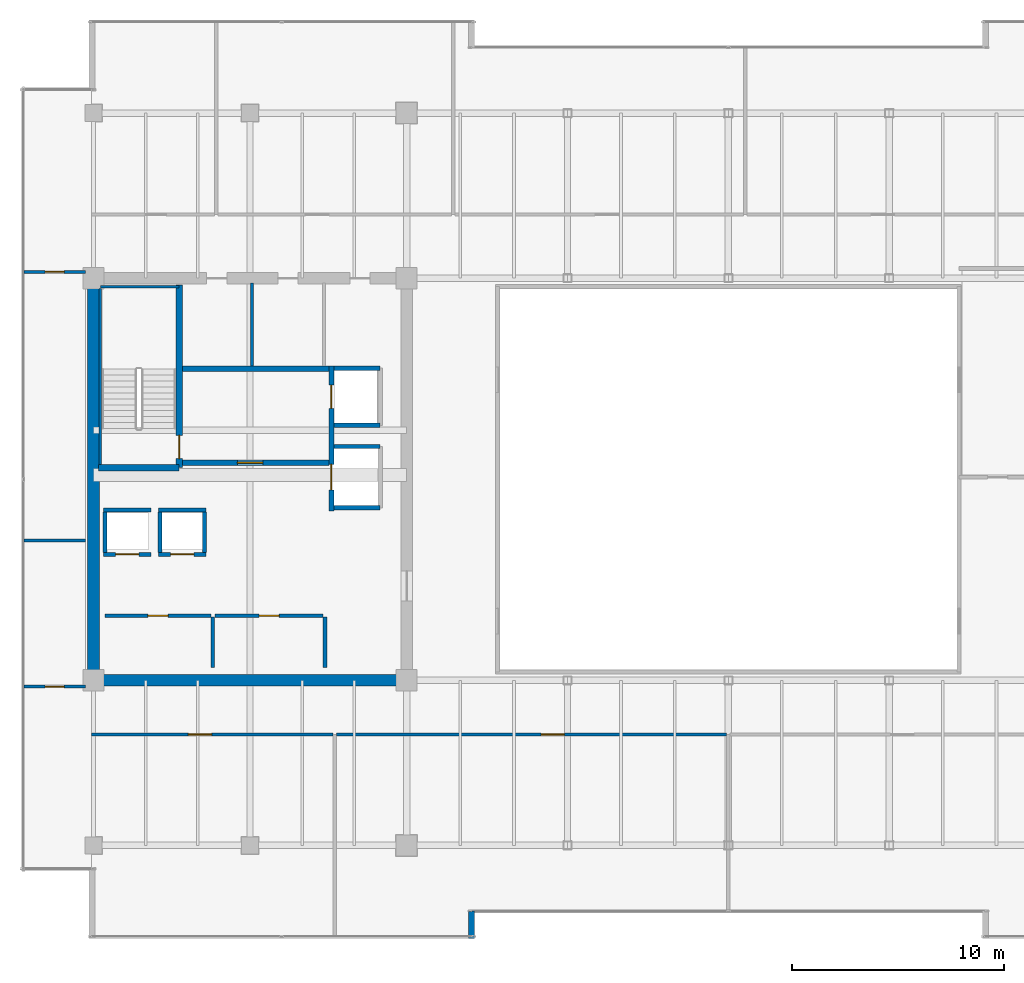
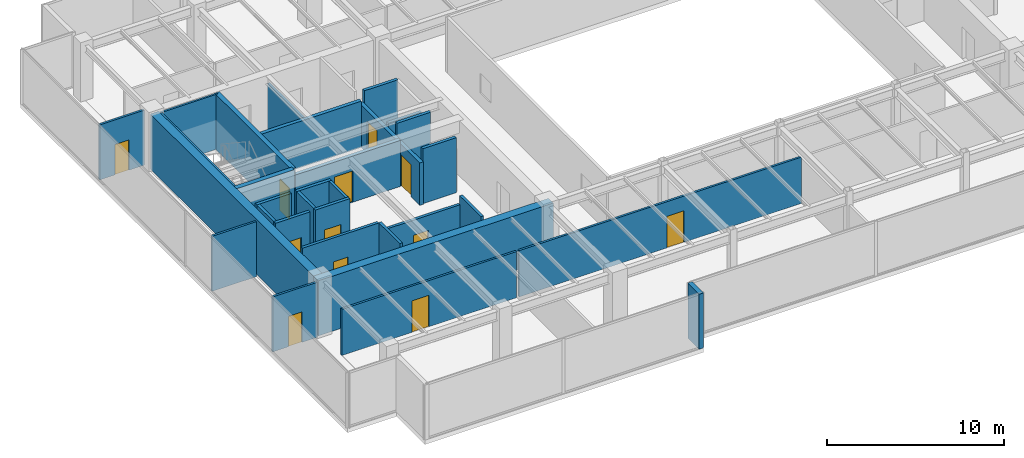
# One storey, part 28 of 36: 31 walls, 12 doors, 12 openings.
"""IFC4 building model written with IfcOpenShell, lengths in metres."""

from ifc_helpers import new_model, si_unit, direction, frame, frame_2d, origin, place, context, subcontext, project, spatial, rectangle, extrude, source, transform, mapped, material, layer, layer_set, type_object, type_shapes, element, fill, save


model = new_model("IFC4")

# Units and contexts
model_context = context("Model", 3, precision=1e-05, world=origin(), true_north=direction((0.0, 1.0)))
body_context = subcontext(model_context, "Body", "Model", "MODEL_VIEW")
ifc_project = project(units=[si_unit("LENGTHUNIT", "METRE"), si_unit("AREAUNIT", "SQUARE_METRE"), si_unit("VOLUMEUNIT", "CUBIC_METRE"), si_unit("PLANEANGLEUNIT", "RADIAN"), si_unit("MASSUNIT", "GRAM", prefix="KILO")], contexts=[model_context])

# Site, building, storey
site_placement = place(None, origin())
site = spatial("IfcSite", under=ifc_project, at=site_placement, CompositionType="ELEMENT")
building_placement = place(site_placement, origin())
building = spatial("IfcBuilding", under=site, at=building_placement, Name="Haelvirn Gate Laboratories", CompositionType="ELEMENT")
storey_placement = place(building_placement, frame((0.0, 0.0, 254.699951171875)))
storey = spatial("IfcBuildingStorey", under=building, at=storey_placement, Name="L61", CompositionType="ELEMENT", Elevation=254.699951171875)

# Wall
ifc_material_1 = material(Name="Thermally-broken bronze aluminium rainscreen & mineral wool", Category="aluminium")
ifc_layer_1 = layer(ifc_material_1, 0.280029296875, Name="EW-TERR-280")
ifc_layer_set_1 = layer_set([ifc_layer_1], Name="Thermally-broken bronze aluminium rainscreen & mineral wool")
wall_type_1 = type_object("IfcWallType", Name="EW-TERR-280", PredefinedType="STANDARD", material=ifc_layer_set_1)
wall_1_placement = place(storey_placement, frame((25.260009765625, 2.60009765625, 0.0), z_axis=(0.0, 0.0, 1.0), x_axis=(0.0, 1.0, 0.0)))
element("IfcWall", 1, at=wall_1_placement, inside=storey, type_object=wall_type_1, Name="L61 Atrium Recess Bronze Return Wall 01", PredefinedType="STANDARD", context=body_context, shape_type="SweptSolid", body=[
    extrude(rectangle(XDim=1.29296875, YDim=0.280029296875, at=frame_2d((0.646484375, 0.0))), origin(), (0.0, 0.0, 1.0), 3.800048828125),
])

# Wall, opening, door
ifc_material_2 = material(Name="Acoustic mineral-wool gypsum board partition", Category="gypsum")
ifc_layer_2 = layer(ifc_material_2, 0.139892578125, Name="IW-PART-140")
ifc_layer_set_2 = layer_set([ifc_layer_2], Name="Acoustic mineral-wool gypsum board partition")
wall_type_2 = type_object("IfcWallType", Name="IW-PART-140", PredefinedType="PARTITIONING", material=ifc_layer_set_2)
wall_2_placement = place(storey_placement, frame((7.31005859375, 12.239990234375, 0.0), z_axis=(0.0, 0.0, 1.0), x_axis=(1.0, 0.0, 0.0)))
wall_2 = element("IfcWall", 2, at=wall_2_placement, inside=storey, type_object=wall_type_2, Name="L61 Interior Wall IW-L61-SCORR-01", PredefinedType="PARTITIONING", context=body_context, shape_type="SweptSolid", body=[
    extrude(rectangle(XDim=11.409912109375, YDim=0.139892578125, at=frame_2d((5.705078125, 0.0))), origin(), (0.0, 0.0, 1.0), 3.197021484375),
])
opening_1_placement = place(wall_2_placement, frame((4.578369140625, 0.0, 0.0)))
opening_1 = element("IfcOpeningElement", 3, at=opening_1_placement, cuts=wall_2, Name="Opening D1", PredefinedType="OPENING", context=body_context, shape_type="SweptSolid", body=[
    extrude(rectangle(XDim=1.10009765625, YDim=2.179931640625, at=frame_2d((0.550048828125, 1.08984375))), frame((0.0, 0.080078125, 0.0), z_axis=(0.0, -1.0, 0.0), x_axis=(1.0, 0.0, 0.0)), (0.0, 0.0, 1.0), 0.159912109375),
])
ifc_material_3 = material(Name="Vision-panel acoustic solid-core timber lab door", Category="wood")
door_type_1 = type_object("IfcDoorType", Name="DR-LAB-1100", OperationType="NOTDEFINED", PredefinedType="DOOR", material=ifc_material_3)
shared_shape_1 = source(origin(), body_context, "Body", "SweptSolid", [
    extrude(rectangle(XDim=1.10009765625, YDim=2.179931640625, at=frame_2d((0.550048828125, 1.08984375))), frame((0.0, 0.02490234375, 0.0), z_axis=(0.0, -1.0, 0.0), x_axis=(1.0, 0.0, 0.0)), (0.0, 0.0, 1.0), 0.050048828125),
])
type_shapes(door_type_1, [shared_shape_1])
door_1_placement = place(opening_1_placement, origin())
door_1 = element("IfcDoor", 4, at=door_1_placement, inside=storey, type_object=door_type_1, Name="L61 Instrumentation Prototyping Workshop Door S1", OperationType="SINGLE_SWING_RIGHT", OverallHeight=2.179931640625, OverallWidth=1.10009765625, PredefinedType="DOOR", context=body_context, shape_type="MappedRepresentation", body=[
    mapped(shared_shape_1, transform((0.0, 0.0, 0.0), scale=1.0)),
])
fill(opening_1, door_1)

wall_3_placement = place(storey_placement, frame((18.8798828125, 12.239990234375, 0.0), z_axis=(0.0, 0.0, 1.0), x_axis=(1.0, 0.0, 0.0)))
wall_3 = element("IfcWall", 5, at=wall_3_placement, inside=storey, type_object=wall_type_2, Name="L61 Interior Wall IW-L61-SCORR-02", PredefinedType="PARTITIONING", context=body_context, shape_type="SweptSolid", body=[
    extrude(rectangle(XDim=18.440185546875, YDim=0.139892578125, at=frame_2d((9.22021484375, 0.0))), origin(), (0.0, 0.0, 1.0), 3.197021484375),
])
opening_2_placement = place(wall_3_placement, frame((9.66845703125, 0.0, 0.0)))
opening_2 = element("IfcOpeningElement", 6, at=opening_2_placement, cuts=wall_3, Name="Opening D1", PredefinedType="OPENING", context=body_context, shape_type="SweptSolid", body=[
    extrude(rectangle(XDim=1.10009765625, YDim=2.179931640625, at=frame_2d((0.550048828125, 1.08984375))), frame((0.0, 0.080078125, 0.0), z_axis=(0.0, -1.0, 0.0), x_axis=(1.0, 0.0, 0.0)), (0.0, 0.0, 1.0), 0.159912109375),
])
door_2_placement = place(opening_2_placement, origin())
door_2 = element("IfcDoor", 7, at=door_2_placement, inside=storey, type_object=door_type_1, Name="L61 Scientific Reference Library Door S2", OperationType="SINGLE_SWING_LEFT", OverallHeight=2.179931640625, OverallWidth=1.10009765625, PredefinedType="DOOR", context=body_context, shape_type="MappedRepresentation", body=[
    mapped(shared_shape_1, transform((0.0, 0.0, 0.0), scale=1.0)),
])
fill(opening_2, door_2)

# Wall
wall_4_placement = place(storey_placement, frame((4.110107421875, 21.39990234375, 0.0), z_axis=(0.0, 0.0, 1.0), x_axis=(1.0, 0.0, 0.0)))
element("IfcWall", 8, at=wall_4_placement, inside=storey, type_object=wall_type_2, Name="L61 Interior Wall IW-L61-WZ3-MID", PredefinedType="PARTITIONING", context=body_context, shape_type="SweptSolid", body=[
    extrude(rectangle(XDim=2.909912109375, YDim=0.139892578125, at=frame_2d((1.455078125, 0.0))), origin(), (0.0, 0.0, 1.0), 3.800048828125),
])

# Wall, opening, door
wall_5_placement = place(storey_placement, frame((4.110107421875, 14.5048828125, 0.0), z_axis=(0.0, 0.0, 1.0), x_axis=(1.0, 0.0, 0.0)))
wall_5 = element("IfcWall", 9, at=wall_5_placement, inside=storey, type_object=wall_type_2, Name="L61 Interior Wall IW-L61-WZ3-ENT-S", PredefinedType="PARTITIONING", context=body_context, shape_type="SweptSolid", body=[
    extrude(rectangle(XDim=2.909912109375, YDim=0.139892578125, at=frame_2d((1.455078125, 0.0))), origin(), (0.0, 0.0, 1.0), 3.800048828125),
])
opening_3_placement = place(wall_5_placement, frame((1.0048828125, 0.0, 0.0)))
opening_3 = element("IfcOpeningElement", 10, at=opening_3_placement, cuts=wall_5, Name="Opening D4", PredefinedType="OPENING", context=body_context, shape_type="SweptSolid", body=[
    extrude(rectangle(XDim=0.89990234375, YDim=2.10009765625, at=frame_2d((0.449951171875, 1.050048828125))), frame((0.0, 0.080078125, 0.0), z_axis=(0.0, -1.0, 0.0), x_axis=(1.0, 0.0, 0.0)), (0.0, 0.0, 1.0), 0.159912109375),
])
ifc_material_4 = material(Name="Glazed aluminium-framed write-up door", Category="aluminium")
door_type_2 = type_object("IfcDoorType", Name="DR-OFF-900", OperationType="NOTDEFINED", PredefinedType="DOOR", material=ifc_material_4)
shared_shape_2 = source(origin(), body_context, "Body", "SweptSolid", [
    extrude(rectangle(XDim=0.89990234375, YDim=2.10009765625, at=frame_2d((0.449951171875, 1.050048828125))), frame((0.0, 0.02490234375, 0.0), z_axis=(0.0, -1.0, 0.0), x_axis=(1.0, 0.0, 0.0)), (0.0, 0.0, 1.0), 0.050048828125),
])
type_shapes(door_type_2, [shared_shape_2])
door_3_placement = place(opening_3_placement, origin())
door_3 = element("IfcDoor", 11, at=door_3_placement, inside=storey, type_object=door_type_2, Name="L61 Floor Hydration & Tea Servery Door W-S", OperationType="SINGLE_SWING_LEFT", OverallHeight=2.10009765625, OverallWidth=0.89990234375, PredefinedType="DOOR", context=body_context, shape_type="MappedRepresentation", body=[
    mapped(shared_shape_2, transform((0.0, 0.0, 0.0), scale=1.0)),
])
fill(opening_3, door_3)

wall_6_placement = place(storey_placement, frame((4.110107421875, 34.094970703125, 0.0), z_axis=(0.0, 0.0, 1.0), x_axis=(1.0, 0.0, 0.0)))
wall_6 = element("IfcWall", 12, at=wall_6_placement, inside=storey, type_object=wall_type_2, Name="L61 Interior Wall IW-L61-WZ3-ENT-N", PredefinedType="PARTITIONING", context=body_context, shape_type="SweptSolid", body=[
    extrude(rectangle(XDim=2.909912109375, YDim=0.139892578125, at=frame_2d((1.455078125, 0.0))), origin(), (0.0, 0.0, 1.0), 3.800048828125),
])
opening_4_placement = place(wall_6_placement, frame((1.0048828125, 0.0, 0.0)))
opening_4 = element("IfcOpeningElement", 13, at=opening_4_placement, cuts=wall_6, Name="Opening D4", PredefinedType="OPENING", context=body_context, shape_type="SweptSolid", body=[
    extrude(rectangle(XDim=0.89990234375, YDim=2.10009765625, at=frame_2d((0.449951171875, 1.050048828125))), frame((0.0, 0.080078125, 0.0), z_axis=(0.0, -1.0, 0.0), x_axis=(1.0, 0.0, 0.0)), (0.0, 0.0, 1.0), 0.159912109375),
])
door_4_placement = place(opening_4_placement, origin())
door_4 = element("IfcDoor", 14, at=door_4_placement, inside=storey, type_object=door_type_2, Name="L61 Bioprocess Foundry Laboratory Door W-N", OperationType="SINGLE_SWING_RIGHT", OverallHeight=2.10009765625, OverallWidth=0.89990234375, PredefinedType="DOOR", context=body_context, shape_type="MappedRepresentation", body=[
    mapped(shared_shape_2, transform((0.0, 0.0, 0.0), scale=1.0)),
])
fill(opening_4, door_4)

# Walls
ifc_material_5 = material(Name="Cement-board restroom plumbing chase wall", Category="gypsum")
ifc_layer_3 = layer(ifc_material_5, 0.155029296875, Name="IW-PLUMB-160")
ifc_layer_set_3 = layer_set([ifc_layer_3], Name="Cement-board restroom plumbing chase wall")
wall_type_3 = type_object("IfcWallType", Name="IW-PLUMB-160", PredefinedType="PLUMBINGWALL", material=ifc_layer_set_3)
wall_7_placement = place(storey_placement, frame((14.889892578125, 29.64990234375, 0.0), z_axis=(0.0, 0.0, 1.0), x_axis=(0.0, 1.0, 0.0)))
element("IfcWall", 15, at=wall_7_placement, inside=storey, type_object=wall_type_3, Name="L61 Interior Wall IW-L61-W-CDIV-1", PredefinedType="PLUMBINGWALL", context=body_context, shape_type="SweptSolid", body=[
    extrude(rectangle(XDim=3.93017578125, YDim=0.155029296875, at=frame_2d((1.965087890625, 0.0))), origin(), (0.0, 0.0, 1.0), 3.197021484375),
])
ifc_material_6 = material(Name="Concrete C40/50", Category="concrete")
ifc_layer_4 = layer(ifc_material_6, 0.179931640625, Name="IW-SHAFT-180")
ifc_layer_set_4 = layer_set([ifc_layer_4], Name="Concrete C40/50")
wall_type_4 = type_object("IfcWallType", Name="IW-SHAFT-180", PredefinedType="SOLIDWALL", material=ifc_layer_set_4)
for number, where, z_axis, x_axis, name in (
    (16, (7.949951171875, 20.85009765625, 0.0), (0.0, 0.0, 1.0), (0.0, 1.0, 0.0), "L61 Interior Wall IW-L61-PL9-SD"),
    (17, (10.550048828125, 20.85009765625, 0.0), (0.0, 0.0, 1.0), (0.0, 1.0, 0.0), "L61 Interior Wall IW-L61-PL10-SD"),
    (18, (12.64990234375, 20.85009765625, 0.0), (0.0, 0.0, 1.0), (0.0, 1.0, 0.0), "L61 Interior Wall IW-L61-PL10-SDE"),
):
    element("IfcWall", number, at=place(storey_placement, frame(where, z_axis=z_axis, x_axis=x_axis)), inside=storey, type_object=wall_type_4, Name=name, PredefinedType="SOLIDWALL", context=body_context, shape_type="SweptSolid", body=[
        extrude(rectangle(XDim=1.89990234375, YDim=0.179931640625, at=frame_2d((0.949951171875, 0.0))), origin(), (0.0, 0.0, 1.0), 3.800048828125),
    ])

# Wall, opening, door
wall_8_placement = place(storey_placement, frame((7.949951171875, 17.85009765625, 0.0), z_axis=(0.0, 0.0, 1.0), x_axis=(1.0, 0.0, 0.0)))
wall_8 = element("IfcWall", 19, at=wall_8_placement, inside=storey, type_object=wall_type_4, Name="L61 Interior Wall IW-L61-W-FREED-HN-1", PredefinedType="SOLIDWALL", context=body_context, shape_type="SweptSolid", body=[
    extrude(rectangle(XDim=5.0, YDim=0.179931640625, at=frame_2d((2.5, 0.0))), origin(), (0.0, 0.0, 1.0), 3.800048828125),
])
opening_5_placement = place(wall_8_placement, frame((2.02490234375, 0.0, 0.0)))
opening_5 = element("IfcOpeningElement", 20, at=opening_5_placement, cuts=wall_8, Name="Opening FD4", PredefinedType="OPENING", context=body_context, shape_type="SweptSolid", body=[
    extrude(rectangle(XDim=0.949951171875, YDim=2.14990234375, at=frame_2d((0.47509765625, 1.074951171875))), frame((0.0, 0.10009765625, 0.0), z_axis=(0.0, -1.0, 0.0), x_axis=(1.0, 0.0, 0.0)), (0.0, 0.0, 1.0), 0.199951171875),
])
ifc_material_7 = material(Name="Fire-rated steel SM355 core service door", Category="steel")
door_type_3 = type_object("IfcDoorType", Name="DR-FD-950", OperationType="NOTDEFINED", PredefinedType="DOOR", material=ifc_material_7)
shared_shape_3 = source(origin(), body_context, "Body", "SweptSolid", [
    extrude(rectangle(XDim=0.949951171875, YDim=2.14990234375, at=frame_2d((0.47509765625, 1.074951171875))), frame((0.0, 0.02490234375, 0.0), z_axis=(0.0, -1.0, 0.0), x_axis=(1.0, 0.0, 0.0)), (0.0, 0.0, 1.0), 0.050048828125),
])
type_shapes(door_type_3, [shared_shape_3])
door_5_placement = place(opening_5_placement, origin())
door_5 = element("IfcDoor", 21, at=door_5_placement, inside=storey, type_object=door_type_3, Name="L61 Cryogenic Specimen Biobank Door", OperationType="SINGLE_SWING_LEFT", OverallHeight=2.14990234375, OverallWidth=0.949951171875, PredefinedType="DOOR", context=body_context, shape_type="MappedRepresentation", body=[
    mapped(shared_shape_3, transform((0.0, 0.0, 0.0), scale=1.0)),
])
fill(opening_5, door_5)

# Wall
wall_9_placement = place(storey_placement, frame((13.0400390625, 15.39990234375, 0.0), z_axis=(0.0, 0.0, 1.0), x_axis=(0.0, 1.0, 0.0)))
element("IfcWall", 22, at=wall_9_placement, inside=storey, type_object=wall_type_4, Name="L61 Interior Wall IW-L61-W-FREED-HE-1", PredefinedType="SOLIDWALL", context=body_context, shape_type="SweptSolid", body=[
    extrude(rectangle(XDim=2.400146484375, YDim=0.179931640625, at=frame_2d((1.2001953125, 0.0))), origin(), (0.0, 0.0, 1.0), 3.800048828125),
])

# Wall, opening, door
wall_10_placement = place(storey_placement, frame((13.14990234375, 17.85009765625, 0.0), z_axis=(0.0, 0.0, 1.0), x_axis=(1.0, 0.0, 0.0)))
wall_10 = element("IfcWall", 23, at=wall_10_placement, inside=storey, type_object=wall_type_4, Name="L61 Interior Wall IW-L61-W-FREED-HN-2", PredefinedType="SOLIDWALL", context=body_context, shape_type="SweptSolid", body=[
    extrude(rectangle(XDim=5.10009765625, YDim=0.179931640625, at=frame_2d((2.550048828125, 0.0))), origin(), (0.0, 0.0, 1.0), 3.197021484375),
])
opening_6_placement = place(wall_10_placement, frame((2.074951171875, 0.0, 0.0)))
opening_6 = element("IfcOpeningElement", 24, at=opening_6_placement, cuts=wall_10, Name="Opening FD4", PredefinedType="OPENING", context=body_context, shape_type="SweptSolid", body=[
    extrude(rectangle(XDim=0.949951171875, YDim=2.14990234375, at=frame_2d((0.47509765625, 1.074951171875))), frame((0.0, 0.10009765625, 0.0), z_axis=(0.0, -1.0, 0.0), x_axis=(1.0, 0.0, 0.0)), (0.0, 0.0, 1.0), 0.199951171875),
])
door_6_placement = place(opening_6_placement, origin())
door_6 = element("IfcDoor", 25, at=door_6_placement, inside=storey, type_object=door_type_3, Name="L61 Cryo-Assay Preparation Laboratory Door", OperationType="SINGLE_SWING_RIGHT", OverallHeight=2.14990234375, OverallWidth=0.949951171875, PredefinedType="DOOR", context=body_context, shape_type="MappedRepresentation", body=[
    mapped(shared_shape_3, transform((0.0, 0.0, 0.0), scale=1.0)),
])
fill(opening_6, door_6)

# Wall
wall_11_placement = place(storey_placement, frame((18.340087890625, 15.39990234375, 0.0), z_axis=(0.0, 0.0, 1.0), x_axis=(0.0, 1.0, 0.0)))
element("IfcWall", 26, at=wall_11_placement, inside=storey, type_object=wall_type_4, Name="L61 Interior Wall IW-L61-W-FREED-HE-2", PredefinedType="SOLIDWALL", context=body_context, shape_type="SweptSolid", body=[
    extrude(rectangle(XDim=2.400146484375, YDim=0.179931640625, at=frame_2d((1.2001953125, 0.0))), origin(), (0.0, 0.0, 1.0), 3.800048828125),
])

# Wall, opening, door
ifc_layer_5 = layer(ifc_material_6, 0.199951171875, Name="IW-SHAFT-200")
ifc_layer_set_5 = layer_set([ifc_layer_5], Name="Concrete C40/50")
wall_type_5 = type_object("IfcWallType", Name="IW-SHAFT-200", PredefinedType="SOLIDWALL", material=ifc_layer_set_5)
wall_12_placement = place(storey_placement, frame((7.8701171875, 20.75, 0.0), z_axis=(0.0, 0.0, 1.0), x_axis=(1.0, 0.0, 0.0)))
wall_12 = element("IfcWall", 27, at=wall_12_placement, inside=storey, type_object=wall_type_5, Name="L61 Interior Wall IW-L61-PL9-FR", PredefinedType="SOLIDWALL", context=body_context, shape_type="SweptSolid", body=[
    extrude(rectangle(XDim=2.259765625, YDim=0.199951171875, at=frame_2d((1.1298828125, 0.0))), origin(), (0.0, 0.0, 1.0), 3.800048828125),
])
opening_7_placement = place(wall_12_placement, frame((0.580078125, 0.0, 0.0)))
opening_7 = element("IfcOpeningElement", 28, at=opening_7_placement, cuts=wall_12, Name="Opening LD2", PredefinedType="OPENING", context=body_context, shape_type="SweptSolid", body=[
    extrude(rectangle(XDim=1.10009765625, YDim=2.219970703125, at=frame_2d((0.550048828125, 1.10986328125))), frame((0.0, 0.10986328125, 0.0), z_axis=(0.0, -1.0, 0.0), x_axis=(1.0, 0.0, 0.0)), (0.0, 0.0, 1.0), 0.219970703125),
])
ifc_material_8 = material(Name="Bronze stainless 316L sliding lift landing door")
door_type_4 = type_object("IfcDoorType", Name="DR-LD-1100", OperationType="NOTDEFINED", PredefinedType="USERDEFINED", material=ifc_material_8)
shared_shape_4 = source(origin(), body_context, "Body", "SweptSolid", [
    extrude(rectangle(XDim=1.10009765625, YDim=2.219970703125, at=frame_2d((0.550048828125, 1.10986328125))), frame((0.0, 0.02490234375, 0.0), z_axis=(0.0, -1.0, 0.0), x_axis=(1.0, 0.0, 0.0)), (0.0, 0.0, 1.0), 0.050048828125),
])
type_shapes(door_type_4, [shared_shape_4])
door_7_placement = place(opening_7_placement, origin())
door_7 = element("IfcDoor", 29, at=door_7_placement, inside=storey, type_object=door_type_4, Name="L61 Passenger Lift PL9 Landing Door", ObjectType="LANDING_DOOR", OperationType="SLIDING_TO_LEFT", OverallHeight=2.219970703125, OverallWidth=1.10009765625, PredefinedType="USERDEFINED", context=body_context, shape_type="MappedRepresentation", body=[
    mapped(shared_shape_4, transform((0.0, 0.0, 0.0), scale=1.0)),
])
fill(opening_7, door_7)

# Wall
wall_13_placement = place(storey_placement, frame((7.8701171875, 22.85009765625, 0.0), z_axis=(0.0, 0.0, 1.0), x_axis=(1.0, 0.0, 0.0)))
element("IfcWall", 30, at=wall_13_placement, inside=storey, type_object=wall_type_5, Name="L61 Interior Wall IW-L61-PL9-BK", PredefinedType="SOLIDWALL", context=body_context, shape_type="SweptSolid", body=[
    extrude(rectangle(XDim=2.259765625, YDim=0.199951171875, at=frame_2d((1.1298828125, 0.0))), origin(), (0.0, 0.0, 1.0), 3.800048828125),
])

# Wall, opening, door
wall_14_placement = place(storey_placement, frame((10.469970703125, 20.75, 0.0), z_axis=(0.0, 0.0, 1.0), x_axis=(1.0, 0.0, 0.0)))
wall_14 = element("IfcWall", 31, at=wall_14_placement, inside=storey, type_object=wall_type_5, Name="L61 Interior Wall IW-L61-PL10-FR", PredefinedType="SOLIDWALL", context=body_context, shape_type="SweptSolid", body=[
    extrude(rectangle(XDim=2.260009765625, YDim=0.199951171875, at=frame_2d((1.1298828125, 0.0))), origin(), (0.0, 0.0, 1.0), 3.800048828125),
])
opening_8_placement = place(wall_14_placement, frame((0.580078125, 0.0, 0.0)))
opening_8 = element("IfcOpeningElement", 32, at=opening_8_placement, cuts=wall_14, Name="Opening LD2", PredefinedType="OPENING", context=body_context, shape_type="SweptSolid", body=[
    extrude(rectangle(XDim=1.10009765625, YDim=2.219970703125, at=frame_2d((0.550048828125, 1.10986328125))), frame((0.0, 0.10986328125, 0.0), z_axis=(0.0, -1.0, 0.0), x_axis=(1.0, 0.0, 0.0)), (0.0, 0.0, 1.0), 0.219970703125),
])
door_8_placement = place(opening_8_placement, origin())
door_8 = element("IfcDoor", 33, at=door_8_placement, inside=storey, type_object=door_type_4, Name="L61 Passenger Lift PL10 Landing Door", ObjectType="LANDING_DOOR", OperationType="SLIDING_TO_RIGHT", OverallHeight=2.219970703125, OverallWidth=1.10009765625, PredefinedType="USERDEFINED", context=body_context, shape_type="MappedRepresentation", body=[
    mapped(shared_shape_4, transform((0.0, 0.0, 0.0), scale=1.0)),
])
fill(opening_8, door_8)

# Walls
wall_15_placement = place(storey_placement, frame((10.469970703125, 22.85009765625, 0.0), z_axis=(0.0, 0.0, 1.0), x_axis=(1.0, 0.0, 0.0)))
element("IfcWall", 34, at=wall_15_placement, inside=storey, type_object=wall_type_5, Name="L61 Interior Wall IW-L61-PL10-BK", PredefinedType="SOLIDWALL", context=body_context, shape_type="SweptSolid", body=[
    extrude(rectangle(XDim=2.260009765625, YDim=0.199951171875, at=frame_2d((1.1298828125, 0.0))), origin(), (0.0, 0.0, 1.0), 3.800048828125),
])
wall_16_placement = place(storey_placement, frame((18.760009765625, 29.550048828125, 0.0), z_axis=(0.0, 0.0, 1.0), x_axis=(1.0, 0.0, 0.0)))
element("IfcWall", 35, at=wall_16_placement, inside=storey, type_object=wall_type_5, Name="L61 Interior Wall IW-L61-FL1-N", PredefinedType="SOLIDWALL", context=body_context, shape_type="SweptSolid", body=[
    extrude(rectangle(XDim=2.18994140625, YDim=0.199951171875, at=frame_2d((1.094970703125, 0.0))), origin(), (0.0, 0.0, 1.0), 3.800048828125),
])
wall_17_placement = place(storey_placement, frame((18.760009765625, 26.85009765625, 0.0), z_axis=(0.0, 0.0, 1.0), x_axis=(1.0, 0.0, 0.0)))
element("IfcWall", 36, at=wall_17_placement, inside=storey, type_object=wall_type_5, Name="L61 Interior Wall IW-L61-FL1-S", PredefinedType="SOLIDWALL", context=body_context, shape_type="SweptSolid", body=[
    extrude(rectangle(XDim=2.18994140625, YDim=0.199951171875, at=frame_2d((1.094970703125, 0.0))), origin(), (0.0, 0.0, 1.0), 3.197021484375),
])
for number, where, z_axis, x_axis, name in (
    (37, (18.760009765625, 25.85009765625, 0.0), (0.0, 0.0, 1.0), (1.0, 0.0, 0.0), "L61 Interior Wall IW-L61-SL1-N"),
    (38, (18.760009765625, 22.949951171875, 0.0), (0.0, 0.0, 1.0), (1.0, 0.0, 0.0), "L61 Interior Wall IW-L61-SL1-S"),
):
    element("IfcWall", number, at=place(storey_placement, frame(where, z_axis=z_axis, x_axis=x_axis)), inside=storey, type_object=wall_type_5, Name=name, PredefinedType="SOLIDWALL", context=body_context, shape_type="SweptSolid", body=[
        extrude(rectangle(XDim=2.18994140625, YDim=0.199951171875, at=frame_2d((1.094970703125, 0.0))), origin(), (0.0, 0.0, 1.0), 3.800048828125),
    ])

# Wall, opening, door
ifc_layer_6 = layer(ifc_material_6, 0.239990234375, Name="IW-SHAFT-240")
ifc_layer_set_6 = layer_set([ifc_layer_6], Name="Concrete C40/50")
wall_type_6 = type_object("IfcWallType", Name="IW-SHAFT-240", PredefinedType="SOLIDWALL", material=ifc_layer_set_6)
wall_18_placement = place(storey_placement, frame((11.60009765625, 25.080078125, 0.0), z_axis=(0.0, 0.0, 1.0), x_axis=(1.0, 0.0, 0.0)))
wall_18 = element("IfcWall", 39, at=wall_18_placement, inside=storey, type_object=wall_type_6, Name="L61 Interior Wall IW-L61-W-FF-S", PredefinedType="SOLIDWALL", context=body_context, shape_type="SweptSolid", body=[
    extrude(rectangle(XDim=6.919921875, YDim=0.239990234375, at=frame_2d((3.4599609375, 0.0))), origin(), (0.0, 0.0, 1.0), 3.197021484375),
])
opening_9_placement = place(wall_18_placement, frame((2.60009765625, 0.0, 0.0)))
opening_9 = element("IfcOpeningElement", 40, at=opening_9_placement, cuts=wall_18, Name="Opening FD2", PredefinedType="OPENING", context=body_context, shape_type="SweptSolid", body=[
    extrude(rectangle(XDim=1.199951171875, YDim=2.159912109375, at=frame_2d((0.60009765625, 1.080078125))), frame((0.0, 0.1298828125, 0.0), z_axis=(0.0, -1.0, 0.0), x_axis=(1.0, 0.0, 0.0)), (0.0, 0.0, 1.0), 0.260009765625),
])
ifc_material_9 = material(Name="Fire-rated steel SM355 compartment door", Category="steel")
door_type_5 = type_object("IfcDoorType", Name="DR-FD-1200", OperationType="NOTDEFINED", PredefinedType="DOOR", material=ifc_material_9)
shared_shape_5 = source(origin(), body_context, "Body", "SweptSolid", [
    extrude(rectangle(XDim=1.199951171875, YDim=2.159912109375, at=frame_2d((0.60009765625, 1.080078125))), frame((0.0, 0.02490234375, 0.0), z_axis=(0.0, -1.0, 0.0), x_axis=(1.0, 0.0, 0.0)), (0.0, 0.0, 1.0), 0.050048828125),
])
type_shapes(door_type_5, [shared_shape_5])
door_9_placement = place(opening_9_placement, origin())
door_9 = element("IfcDoor", 41, at=door_9_placement, inside=storey, type_object=door_type_5, Name="L61 West Firefighting Lobby Door", OperationType="SINGLE_SWING_RIGHT", OverallHeight=2.159912109375, OverallWidth=1.199951171875, PredefinedType="DOOR", context=body_context, shape_type="MappedRepresentation", body=[
    mapped(shared_shape_5, transform((0.0, 0.0, 0.0), scale=1.0)),
])
fill(opening_9, door_9)

# Wall
wall_19_placement = place(storey_placement, frame((11.60009765625, 29.52001953125, 0.0), z_axis=(0.0, 0.0, 1.0), x_axis=(1.0, 0.0, 0.0)))
element("IfcWall", 42, at=wall_19_placement, inside=storey, type_object=wall_type_6, Name="L61 Interior Wall IW-L61-W-FF-N", PredefinedType="SOLIDWALL", context=body_context, shape_type="SweptSolid", body=[
    extrude(rectangle(XDim=6.919921875, YDim=0.239990234375, at=frame_2d((3.4599609375, 0.0))), origin(), (0.0, 0.0, 1.0), 3.197021484375),
])

# Wall, openings, doors
wall_20_placement = place(storey_placement, frame((18.639892578125, 22.800048828125, 0.0), z_axis=(0.0, 0.0, 1.0), x_axis=(0.0, 1.0, 0.0)))
wall_20 = element("IfcWall", 43, at=wall_20_placement, inside=storey, type_object=wall_type_6, Name="L61 Interior Wall IW-L61-W-FF-E", PredefinedType="SOLIDWALL", context=body_context, shape_type="SweptSolid", body=[
    extrude(rectangle(XDim=6.849853515625, YDim=0.239990234375, at=frame_2d((3.4248046875, 0.0))), origin(), (0.0, 0.0, 1.0), 2.93505859375),
])
opening_10_placement = place(wall_20_placement, frame((4.85009765625, 0.0, 0.0)))
opening_10 = element("IfcOpeningElement", 44, at=opening_10_placement, cuts=wall_20, Name="Opening LD2", PredefinedType="OPENING", context=body_context, shape_type="SweptSolid", body=[
    extrude(rectangle(XDim=1.10009765625, YDim=2.219970703125, at=frame_2d((0.550048828125, 1.10986328125))), frame((0.0, 0.1298828125, 0.0), z_axis=(0.0, -1.0, 0.0), x_axis=(1.0, 0.0, 0.0)), (0.0, 0.0, 1.0), 0.260009765625),
])
opening_11_placement = place(wall_20_placement, frame((1.0, 0.0, 0.0)))
opening_11 = element("IfcOpeningElement", 45, at=opening_11_placement, cuts=wall_20, Name="Opening LD1", PredefinedType="OPENING", context=body_context, shape_type="SweptSolid", body=[
    extrude(rectangle(XDim=1.199951171875, YDim=2.219970703125, at=frame_2d((0.60009765625, 1.10986328125))), frame((0.0, 0.1298828125, 0.0), z_axis=(0.0, -1.0, 0.0), x_axis=(1.0, 0.0, 0.0)), (0.0, 0.0, 1.0), 0.260009765625),
])
door_10_placement = place(opening_10_placement, origin())
door_10 = element("IfcDoor", 46, at=door_10_placement, inside=storey, type_object=door_type_4, Name="L61 Firefighting Lift FL1 Landing Door", ObjectType="LANDING_DOOR", OperationType="SLIDING_TO_LEFT", OverallHeight=2.219970703125, OverallWidth=1.10009765625, PredefinedType="USERDEFINED", context=body_context, shape_type="MappedRepresentation", body=[
    mapped(shared_shape_4, transform((0.0, 0.0, 0.0), scale=1.0)),
])
fill(opening_10, door_10)
ifc_material_10 = material(Name="Stainless steel 316L sliding goods landing door", Category="steel")
door_type_6 = type_object("IfcDoorType", Name="DR-LD-1200", OperationType="NOTDEFINED", PredefinedType="USERDEFINED", material=ifc_material_10)
shared_shape_6 = source(origin(), body_context, "Body", "SweptSolid", [
    extrude(rectangle(XDim=1.199951171875, YDim=2.219970703125, at=frame_2d((0.60009765625, 1.10986328125))), frame((0.0, 0.02490234375, 0.0), z_axis=(0.0, -1.0, 0.0), x_axis=(1.0, 0.0, 0.0)), (0.0, 0.0, 1.0), 0.050048828125),
])
type_shapes(door_type_6, [shared_shape_6])
door_11_placement = place(opening_11_placement, origin())
door_11 = element("IfcDoor", 47, at=door_11_placement, inside=storey, type_object=door_type_6, Name="L61 Service Lift SL1 Landing Door", ObjectType="LANDING_DOOR", OperationType="SLIDING_TO_RIGHT", OverallHeight=2.219970703125, OverallWidth=1.199951171875, PredefinedType="USERDEFINED", context=body_context, shape_type="MappedRepresentation", body=[
    mapped(shared_shape_6, transform((0.0, 0.0, 0.0), scale=1.0)),
])
fill(opening_11, door_11)

# Walls
ifc_material_11 = material(Name="Concrete C50/60", Category="concrete")
ifc_layer_7 = layer(ifc_material_11, 0.550048828125, Name="SW-CORE-550")
ifc_layer_set_7 = layer_set([ifc_layer_7], Name="Concrete C50/60")
wall_type_7 = type_object("IfcWallType", Name="SW-CORE-550", PredefinedType="SHEAR", material=ifc_layer_set_7)
wall_21_placement = place(storey_placement, frame((7.125, 14.800048828125, 0.0), z_axis=(0.0, 0.0, 1.0), x_axis=(1.0, 0.0, 0.0)))
element("IfcWall", 48, at=wall_21_placement, inside=storey, type_object=wall_type_7, Name="L61 W Core Shear Wall S", PredefinedType="SHEAR", context=body_context, shape_type="SweptSolid", body=[
    extrude(rectangle(XDim=15.35009765625, YDim=0.550048828125, at=frame_2d((7.675048828125, 0.0))), origin(), (0.0, 0.0, 1.0), 3.800048828125),
])
wall_22_placement = place(storey_placement, frame((7.39990234375, 15.074951171875, 0.0), z_axis=(0.0, 0.0, 1.0), x_axis=(0.0, 1.0, 0.0)))
element("IfcWall", 49, at=wall_22_placement, inside=storey, type_object=wall_type_7, Name="L61 W Core Shear Wall W", PredefinedType="SHEAR", context=body_context, shape_type="SweptSolid", body=[
    extrude(rectangle(XDim=18.449951171875, YDim=0.550048828125, at=frame_2d((9.22509765625, 0.0))), origin(), (0.0, 0.0, 1.0), 3.800048828125),
])
ifc_layer_8 = layer(ifc_material_11, 0.1201171875, Name="SW-LINER-120")
ifc_layer_set_8 = layer_set([ifc_layer_8], Name="Concrete C50/60")
wall_type_8 = type_object("IfcWallType", Name="SW-LINER-120", PredefinedType="SOLIDWALL", material=ifc_layer_set_8)
wall_23_placement = place(storey_placement, frame((7.72998046875, 33.39990234375, 0.0), z_axis=(0.0, 0.0, 1.0), x_axis=(1.0, 0.0, 0.0)))
element("IfcWall", 50, at=wall_23_placement, inside=storey, type_object=wall_type_8, Name="L61 W Core Stair Shaft Liner Wall N", PredefinedType="SOLIDWALL", context=body_context, shape_type="SweptSolid", body=[
    extrude(rectangle(XDim=3.719970703125, YDim=0.1201171875, at=frame_2d((1.85986328125, 0.0))), origin(), (0.0, 0.0, 1.0), 3.800048828125),
])
wall_24_placement = place(storey_placement, frame((7.72998046875, 25.0, 0.0), z_axis=(0.0, 0.0, 1.0), x_axis=(0.0, 1.0, 0.0)))
element("IfcWall", 51, at=wall_24_placement, inside=storey, type_object=wall_type_8, Name="L61 W Core Stair Shaft Liner Wall OUT", PredefinedType="SOLIDWALL", context=body_context, shape_type="SweptSolid", body=[
    extrude(rectangle(XDim=8.320068359375, YDim=0.1201171875, at=frame_2d((4.16015625, 0.0))), origin(), (0.0, 0.0, 1.0), 3.800048828125),
])

# Wall, opening, door
ifc_layer_9 = layer(ifc_material_11, 0.300048828125, Name="SW-STAIR-300")
ifc_layer_set_9 = layer_set([ifc_layer_9], Name="Concrete C50/60")
wall_type_9 = type_object("IfcWallType", Name="SW-STAIR-300", PredefinedType="SHEAR", material=ifc_layer_set_9)
wall_25_placement = place(storey_placement, frame((11.449951171875, 24.85009765625, 0.0), z_axis=(0.0, 0.0, 1.0), x_axis=(0.0, 1.0, 0.0)))
wall_25 = element("IfcWall", 52, at=wall_25_placement, inside=storey, type_object=wall_type_9, Name="L61 W Core Stair Shaft Structural Wall IN", PredefinedType="SHEAR", context=body_context, shape_type="SweptSolid", body=[
    extrude(rectangle(XDim=8.6298828125, YDim=0.300048828125, at=frame_2d((4.31494140625, 0.0))), origin(), (0.0, 0.0, 1.0), 3.800048828125),
])
opening_12_placement = place(wall_25_placement, frame((0.419921875, 0.0, 0.0)))
opening_12 = element("IfcOpeningElement", 53, at=opening_12_placement, cuts=wall_25, Name="Opening FD3", PredefinedType="OPENING", context=body_context, shape_type="SweptSolid", body=[
    extrude(rectangle(XDim=1.10009765625, YDim=2.14990234375, at=frame_2d((0.550048828125, 1.074951171875))), frame((0.0, 0.16015625, 0.0), z_axis=(0.0, -1.0, 0.0), x_axis=(1.0, 0.0, 0.0)), (0.0, 0.0, 1.0), 0.320068359375),
])
ifc_material_12 = material(Name="Fire-rated steel SM355 escape stair door", Category="steel")
door_type_7 = type_object("IfcDoorType", Name="DR-FD-1100", OperationType="NOTDEFINED", PredefinedType="DOOR", material=ifc_material_12)
shared_shape_7 = source(origin(), body_context, "Body", "SweptSolid", [
    extrude(rectangle(XDim=1.10009765625, YDim=2.14990234375, at=frame_2d((0.550048828125, 1.074951171875))), frame((0.0, 0.02490234375, 0.0), z_axis=(0.0, -1.0, 0.0), x_axis=(1.0, 0.0, 0.0)), (0.0, 0.0, 1.0), 0.050048828125),
])
type_shapes(door_type_7, [shared_shape_7])
door_12_placement = place(opening_12_placement, origin())
door_12 = element("IfcDoor", 54, at=door_12_placement, inside=storey, type_object=door_type_7, Name="L61 Escape Stair ST1 Fire Door", OperationType="SINGLE_SWING_LEFT", OverallHeight=2.14990234375, OverallWidth=1.10009765625, PredefinedType="DOOR", context=body_context, shape_type="MappedRepresentation", body=[
    mapped(shared_shape_7, transform((0.0, 0.0, 0.0), scale=1.0)),
])
fill(opening_12, door_12)

# Wall
wall_26_placement = place(storey_placement, frame((7.64990234375, 24.85009765625, 0.0), z_axis=(0.0, 0.0, 1.0), x_axis=(1.0, 0.0, 0.0)))
element("IfcWall", 55, at=wall_26_placement, inside=storey, type_object=wall_type_9, Name="L61 W Core Stair Shaft Structural Wall S", PredefinedType="SHEAR", context=body_context, shape_type="SweptSolid", body=[
    extrude(rectangle(XDim=3.800048828125, YDim=0.300048828125, at=frame_2d((1.89990234375, 0.0))), origin(), (0.0, 0.0, 1.0), 3.800048828125),
])

save(model, "model.ifc")
